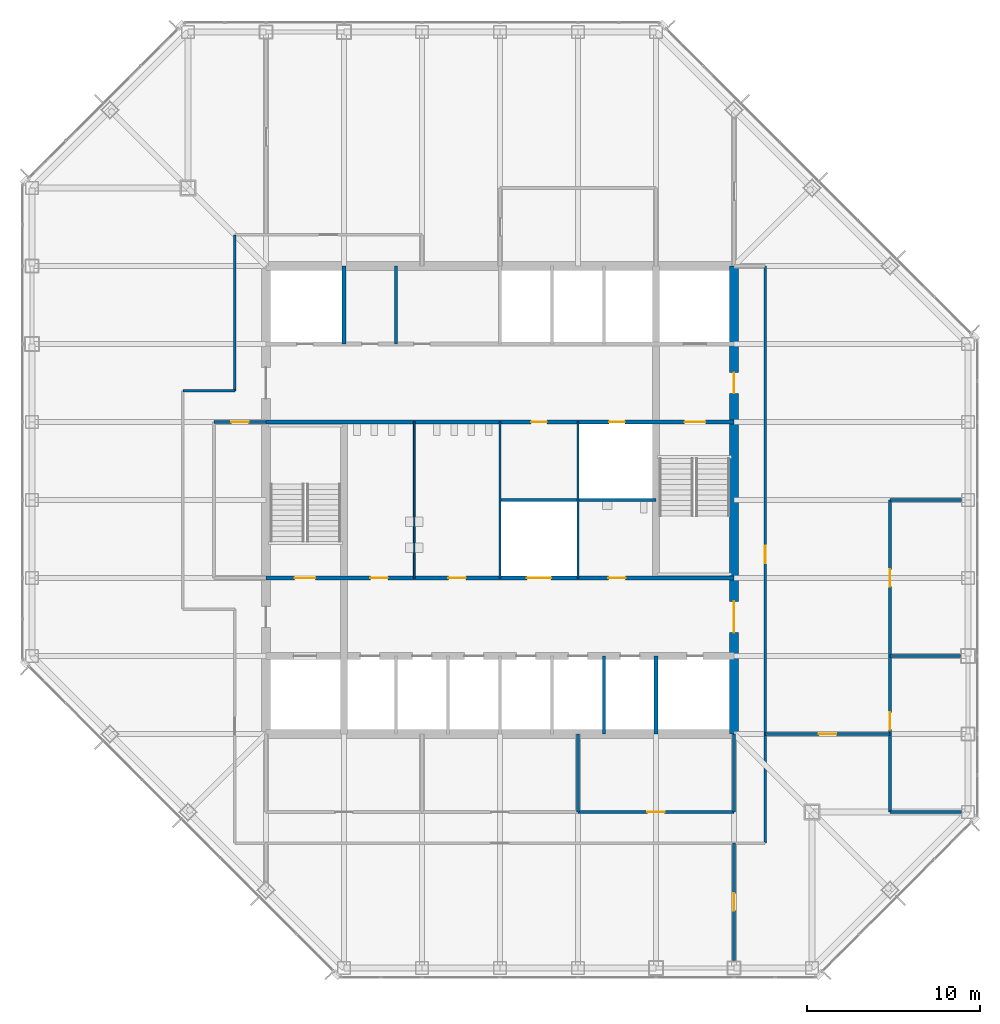
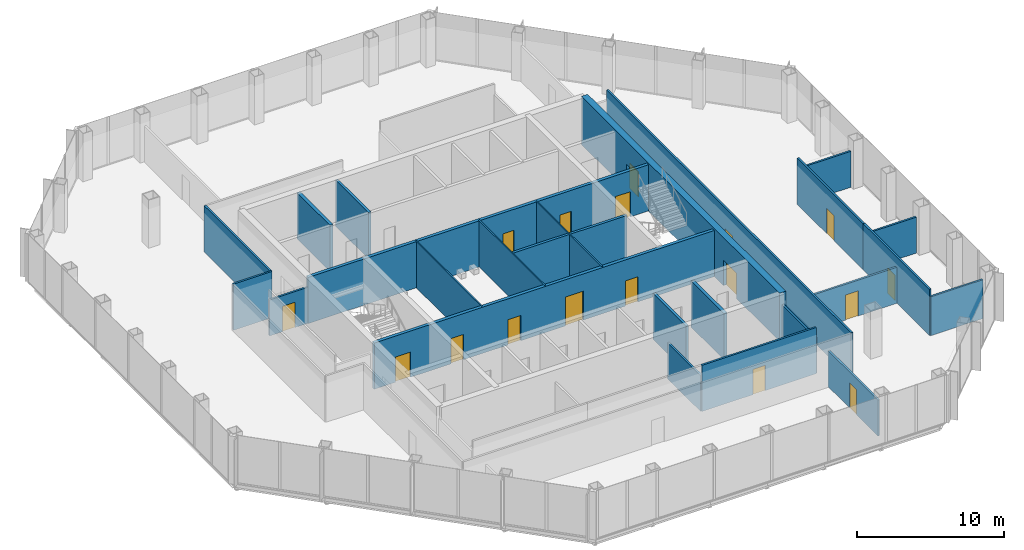
# One storey, part 9 of 12: 25 walls, 17 doors, 17 openings.
"""IFC4 building model written with IfcOpenShell, lengths in metres."""

import ifcopenshell
import ifcopenshell.guid

model = None  # the IFC model being written
_history = None  # IfcOwnerHistory: only IFC2X3 demands one
_inside = {}  # id of a spatial element -> (the spatial element, [elements in it])
_under = {}  # id of a project, library or spatial element -> (it, [spatial elements below it])
_declared = {}  # id of a project -> (the project, [libraries it declares])
_typed = {}  # id of a type object -> (the type object, [elements of that type])
_made_of = {}  # id of a material, layer set ... -> (it, [elements and type objects made of it])


def new_model(schema):
    """Start an empty IFC model of exactly this schema.

    Asked for "IFC4X3", IfcOpenShell would pick the latest addendum, in which some entities
    have other attributes; the version numbers below select the first issue.
    IFC2X3 requires an IfcOwnerHistory on every rooted entity: one is made here for all.
    """
    global model, _history
    if schema == "IFC4X3":
        model = ifcopenshell.file(schema_version=(4, 3, 0, 0))
    else:
        model = ifcopenshell.file(schema=schema)
    _inside.clear()
    _under.clear()
    _declared.clear()
    _typed.clear()
    _made_of.clear()
    _history = None
    if model.schema == "IFC2X3":
        org = make("IfcOrganization", Name="unknown")
        user = make(
            "IfcPersonAndOrganization",
            ThePerson=make("IfcPerson", FamilyName="unknown"),
            TheOrganization=org,
        )
        app = make(
            "IfcApplication",
            ApplicationDeveloper=org,
            Version="unknown",
            ApplicationFullName="unknown",
            ApplicationIdentifier="unknown",
        )
        _history = make(
            "IfcOwnerHistory",
            OwningUser=user,
            OwningApplication=app,
            ChangeAction="ADDED",
            CreationDate=0,
        )
    return model


def make(cls, **values):
    """One entity of the class cls with the attributes given. An attribute that is None is left unset."""
    return model.create_entity(
        cls, **{name: value for name, value in values.items() if value is not None}
    )


def rooted(cls, **values):
    """An entity with a GlobalId (a new one), such as an element, a storey or a relation."""
    return make(cls, GlobalId=ifcopenshell.guid.new(), OwnerHistory=_history, **values)


def si_unit(unit_type, name, prefix=None):
    """IfcSIUnit, for example si_unit("LENGTHUNIT", "METRE", prefix="MILLI")."""
    return make("IfcSIUnit", UnitType=unit_type, Prefix=prefix, Name=name)


def assignment(units):
    """IfcUnitAssignment: the units of a project."""
    return None if units is None else make("IfcUnitAssignment", Units=units)


def point(xyz):
    """IfcCartesianPoint."""
    return None if xyz is None else make("IfcCartesianPoint", Coordinates=xyz)


def direction(xyz):
    """IfcDirection."""
    return None if xyz is None else make("IfcDirection", DirectionRatios=xyz)


def frame(location, z_axis=None, x_axis=None):
    """IfcAxis2Placement3D, a coordinate frame: its origin and axes. An axis left out is left unset."""
    return make(
        "IfcAxis2Placement3D",
        Location=point(location),
        Axis=direction(z_axis),
        RefDirection=direction(x_axis),
    )


def frame_2d(location, x_axis=None):
    """IfcAxis2Placement2D, a coordinate frame in the plane: its origin and x axis."""
    return make(
        "IfcAxis2Placement2D", Location=point(location), RefDirection=direction(x_axis)
    )


def origin():
    """The frame at (0, 0, 0) with its axes left unset."""
    return frame((0.0, 0.0, 0.0))


def place(relative_to, where):
    """IfcLocalPlacement: puts the frame where relative to a parent placement (None: the world)."""
    return make(
        "IfcLocalPlacement", PlacementRelTo=relative_to, RelativePlacement=where
    )


def context(
    kind, dimensions, precision=None, world=None, true_north=None, identifier=None
):
    """IfcGeometricRepresentationContext, for example the 3D "Model" context."""
    return make(
        "IfcGeometricRepresentationContext",
        ContextIdentifier=identifier,
        ContextType=kind,
        CoordinateSpaceDimension=dimensions,
        Precision=precision,
        WorldCoordinateSystem=world,
        TrueNorth=true_north,
    )


def subcontext(parent, identifier, kind, view, scale=None):
    """IfcGeometricRepresentationSubContext, for example "Body" below "Model"."""
    return make(
        "IfcGeometricRepresentationSubContext",
        ContextIdentifier=identifier,
        ContextType=kind,
        ParentContext=parent,
        TargetScale=scale,
        TargetView=view,
    )


def project(units=None, contexts=None):
    """IfcProject with its units and contexts."""
    return rooted(
        "IfcProject",
        Name="project",
        RepresentationContexts=contexts,
        UnitsInContext=assignment(units),
    )


def spatial(cls, under=None, at=None, **own):
    """A site, building, storey or space (cls), placed at a placement, below another one or the project."""
    s = rooted(cls, ObjectPlacement=at, **own)
    if under is not None:
        _under.setdefault(under.id(), (under, []))[1].append(s)
    return s


def profile(cls, at=None, kind="AREA", **sizes):
    """A parametric profile (cls). Its sizes go by their IFC names, for example OverallWidth=200.0."""
    return make(cls, ProfileType=kind, Position=at, **sizes)


def rectangle(**sizes):
    """IfcRectangleProfileDef."""
    return profile("IfcRectangleProfileDef", **sizes)


def extrude(swept, where, along, depth):
    """IfcExtrudedAreaSolid: the profile swept, set in the frame where, extruded along a direction by depth."""
    return make(
        "IfcExtrudedAreaSolid",
        SweptArea=swept,
        Position=where,
        ExtrudedDirection=direction(along),
        Depth=depth,
    )


def shape(context_of_items, identifier, shape_type, items):
    """IfcShapeRepresentation: the items that make up one representation, for example the "Body"."""
    return make(
        "IfcShapeRepresentation",
        ContextOfItems=context_of_items,
        RepresentationIdentifier=identifier,
        RepresentationType=shape_type,
        Items=items,
    )


def material(Name=None, Category=None):
    """IfcMaterial."""
    return make("IfcMaterial", Name=Name, Category=Category)


def layer(
    of_material, thickness, ventilated=None, Name=None, Category=None, Priority=None
):
    """IfcMaterialLayer: one layer of a wall or slab, of a material (None: an air gap)."""
    return make(
        "IfcMaterialLayer",
        Material=of_material,
        LayerThickness=thickness,
        IsVentilated=ventilated,
        Name=Name,
        Category=Category,
        Priority=Priority,
    )


def layer_set(layers, Name=None):
    """IfcMaterialLayerSet."""
    return make("IfcMaterialLayerSet", MaterialLayers=layers, LayerSetName=Name)


def made_of(thing, what):
    """Note that an element or type object is made of a material, layer set ...; save() writes the relation."""
    if what is not None:
        _made_of.setdefault(what.id(), (what, []))[1].append(thing)
    return thing


def type_object(cls, material=None, **own):
    """A type object (cls), such as IfcWallType, which elements share."""
    return made_of(rooted(cls, **own), material)


def element(
    cls,
    number,
    at=None,
    inside=None,
    cuts=None,
    type_object=None,
    material=None,
    context=None,
    identifier="Body",
    shape_type=None,
    held_by="IfcProductDefinitionShape",
    body=None,
    shapes=None,
    **own,
):
    """One element of the class cls, such as IfcWall. Its Tag is "e" and its number.

    at: its placement. inside: the storey or other place that contains it. cuts: it is an
    opening in that element (IfcRelVoidsElement). A single representation is given by context,
    identifier, shape_type and body (its items); several are given by shapes. held_by: the class
    of the entity that holds the representations. save() writes the other relations.
    """
    e = rooted(cls, Tag="e%d" % number, ObjectPlacement=at, **own)
    if body is not None:
        shapes = [shape(context, identifier, shape_type, body)]
    if shapes is not None:
        e.Representation = make(held_by, Representations=shapes)
    if inside is not None:
        _inside.setdefault(inside.id(), (inside, []))[1].append(e)
    if cuts is not None:
        rooted(
            "IfcRelVoidsElement", RelatingBuildingElement=cuts, RelatedOpeningElement=e
        )
    if type_object is not None:
        _typed.setdefault(type_object.id(), (type_object, []))[1].append(e)
    return made_of(e, material)


def fill(opening, filler):
    """IfcRelFillsElement: the door or window that sits in an opening."""
    return rooted(
        "IfcRelFillsElement",
        RelatingOpeningElement=opening,
        RelatedBuildingElement=filler,
    )


def aggregate(whole, parts):
    """IfcRelAggregates: a whole, such as a stair, and the parts it consists of."""
    return rooted("IfcRelAggregates", RelatingObject=whole, RelatedObjects=parts)


def save(model, path):
    """Write the relations noted so far, then the file.

    IfcRelAggregates (storeys below a building ...), IfcRelContainedInSpatialStructure (elements
    in a storey), IfcRelDefinesByType, IfcRelAssociatesMaterial and IfcRelDeclares: one each for
    every whole, place, type object, material and project.
    """
    for whole, parts in _under.values():
        aggregate(whole, parts)
    for where, things in _inside.values():
        rooted(
            "IfcRelContainedInSpatialStructure",
            RelatedElements=things,
            RelatingStructure=where,
        )
    for kind, things in _typed.values():
        rooted("IfcRelDefinesByType", RelatedObjects=things, RelatingType=kind)
    for what, things in _made_of.values():
        rooted("IfcRelAssociatesMaterial", RelatedObjects=things, RelatingMaterial=what)
    for by, libraries in _declared.values():
        rooted("IfcRelDeclares", RelatingContext=by, RelatedDefinitions=libraries)
    model.write(path)


model = new_model("IFC4")

# Units and contexts
model_context = context("Model", 3, precision=1e-05, world=origin(), true_north=direction((0.0, 1.0)))
body_context = subcontext(model_context, "Body", "Model", "MODEL_VIEW")
ifc_project = project(units=[si_unit("LENGTHUNIT", "METRE"), si_unit("AREAUNIT", "SQUARE_METRE"), si_unit("VOLUMEUNIT", "CUBIC_METRE"), si_unit("PLANEANGLEUNIT", "RADIAN"), si_unit("MASSUNIT", "GRAM", prefix="KILO")], contexts=[model_context])

# Site, building, storey
site_placement = place(None, origin())
site = spatial("IfcSite", under=ifc_project, at=site_placement, CompositionType="ELEMENT")
building_placement = place(site_placement, origin())
building = spatial("IfcBuilding", under=site, at=building_placement, Name="Corais Broadcast Tower", CompositionType="ELEMENT")
storey_placement = place(building_placement, frame((0.0, 0.0, 135.60009765625)))
storey = spatial("IfcBuildingStorey", under=building, at=storey_placement, Name="L30", CompositionType="ELEMENT", Elevation=135.60009765625)

# Walls
ifc_material_1 = material(Name="Concrete blockwork class A, grouted, two-hour", Category="masonry")
ifc_layer_1 = layer(ifc_material_1, 0.25)
ifc_layer_set_1 = layer_set([ifc_layer_1], Name="Concrete blockwork class A, grouted, two-hour")
wall_type_1 = type_object("IfcWallType", Name="Core lobby wall 250", PredefinedType="SOLIDWALL", material=ifc_layer_set_1)
for number, where, z_axis, x_axis, name in (
    (1, (18.0, 36.0, 0.0), (0.0, 0.0, 1.0), (0.0, 1.0, 0.0), "CL2 core shaft wall X18B L30"),
    (2, (36.0, 13.5, 0.0), (0.0, 0.0, 1.0), (0.0, 1.0, 0.0), "CL2 core shaft wall X36A L30"),
):
    element("IfcWall", number, at=place(storey_placement, frame(where, z_axis=z_axis, x_axis=x_axis)), inside=storey, type_object=wall_type_1, Name=name, PredefinedType="SOLIDWALL", context=body_context, shape_type="SweptSolid", body=[
        extrude(rectangle(XDim=4.5, YDim=0.25, at=frame_2d((2.25, 0.0))), origin(), (0.0, 0.0, 1.0), 3.83984375),
    ])

# Wall, openings, doors
wall_1_placement = place(storey_placement, frame((13.5, 22.5, 0.0), z_axis=(0.0, 0.0, 1.0), x_axis=(1.0, 0.0, 0.0)))
wall_1 = element("IfcWall", 3, at=wall_1_placement, inside=storey, type_object=wall_type_1, Name="CL2 core lobby wall Y225 L30", PredefinedType="SOLIDWALL", context=body_context, shape_type="SweptSolid", body=[
    extrude(rectangle(XDim=27.0, YDim=0.25, at=frame_2d((13.5, 0.0))), origin(), (0.0, 0.0, 1.0), 3.83984375),
])
opening_1_placement = place(wall_1_placement, frame((1.64990234375, 0.0, 0.0)))
opening_1 = element("IfcOpeningElement", 4, at=opening_1_placement, cuts=wall_1, Name="Opening FD1", PredefinedType="OPENING", context=body_context, shape_type="SweptSolid", body=[
    extrude(rectangle(XDim=1.199951171875, YDim=2.10009765625, at=frame_2d((0.60009765625, 1.050048828125))), frame((0.0, 0.135009765625, 0.0), z_axis=(0.0, -1.0, 0.0), x_axis=(1.0, 0.0, 0.0)), (0.0, 0.0, 1.0), 0.27001953125),
])
opening_2_placement = place(wall_1_placement, frame((6.02490234375, 0.0, 0.0)))
opening_2 = element("IfcOpeningElement", 5, at=opening_2_placement, cuts=wall_1, Name="Opening WD1", PredefinedType="OPENING", context=body_context, shape_type="SweptSolid", body=[
    extrude(rectangle(XDim=1.0, YDim=2.10009765625, at=frame_2d((0.5, 1.050048828125))), frame((0.0, 0.135009765625, 0.0), z_axis=(0.0, -1.0, 0.0), x_axis=(1.0, 0.0, 0.0)), (0.0, 0.0, 1.0), 0.27001953125),
])
opening_3_placement = place(wall_1_placement, frame((10.52490234375, 0.0, 0.0)))
opening_3 = element("IfcOpeningElement", 6, at=opening_3_placement, cuts=wall_1, Name="Opening WD1", PredefinedType="OPENING", context=body_context, shape_type="SweptSolid", body=[
    extrude(rectangle(XDim=1.0, YDim=2.10009765625, at=frame_2d((0.5, 1.050048828125))), frame((0.0, 0.135009765625, 0.0), z_axis=(0.0, -1.0, 0.0), x_axis=(1.0, 0.0, 0.0)), (0.0, 0.0, 1.0), 0.27001953125),
])
opening_4_placement = place(wall_1_placement, frame((19.75, 0.0, 0.0)))
opening_4 = element("IfcOpeningElement", 7, at=opening_4_placement, cuts=wall_1, Name="Opening WD1", PredefinedType="OPENING", context=body_context, shape_type="SweptSolid", body=[
    extrude(rectangle(XDim=1.0, YDim=2.10009765625, at=frame_2d((0.5, 1.050048828125))), frame((0.0, 0.135009765625, 0.0), z_axis=(0.0, -1.0, 0.0), x_axis=(1.0, 0.0, 0.0)), (0.0, 0.0, 1.0), 0.27001953125),
])
opening_5_placement = place(wall_1_placement, frame((15.050048828125, 0.0, 0.0)))
opening_5 = element("IfcOpeningElement", 8, at=opening_5_placement, cuts=wall_1, Name="Opening LD3", PredefinedType="OPENING", context=body_context, shape_type="SweptSolid", body=[
    extrude(rectangle(XDim=1.39990234375, YDim=2.39990234375, at=frame_2d((0.699951171875, 1.199951171875))), frame((0.0, 0.135009765625, 0.0), z_axis=(0.0, -1.0, 0.0), x_axis=(1.0, 0.0, 0.0)), (0.0, 0.0, 1.0), 0.27001953125),
])
ifc_material_2 = material(Name="Steel fire door", Category="steel")
door_type_1 = type_object("IfcDoorType", Name="Fire door 1200x2100", OperationType="SINGLE_SWING_LEFT", PredefinedType="DOOR", material=ifc_material_2)
door_1_placement = place(opening_1_placement, origin())
door_1 = element("IfcDoor", 9, at=door_1_placement, inside=storey, type_object=door_type_1, Name="FD1 stair A door L30", OperationType="SINGLE_SWING_LEFT", OverallHeight=2.10009765625, OverallWidth=1.199951171875, PredefinedType="DOOR", context=body_context, shape_type="SweptSolid", body=[
    extrude(rectangle(XDim=1.199951171875, YDim=2.10009765625, at=frame_2d((0.60009765625, 1.050048828125))), frame((0.0, 0.02490234375, 0.0), z_axis=(0.0, -1.0, 0.0), x_axis=(1.0, 0.0, 0.0)), (0.0, 0.0, 1.0), 0.050048828125),
])
fill(opening_1, door_1)
ifc_material_3 = material(Name="Stainless steel lift door", Category="steel")
door_type_2 = type_object("IfcDoorType", Name="Service lift landing door 1400x2400", OperationType="SLIDING_TO_LEFT", PredefinedType="DOOR", material=ifc_material_3)
door_2_placement = place(opening_5_placement, origin())
door_2 = element("IfcDoor", 10, at=door_2_placement, inside=storey, type_object=door_type_2, Name="LD3 SL1 landing door L30", OperationType="SLIDING_TO_LEFT", OverallHeight=2.39990234375, OverallWidth=1.39990234375, PredefinedType="DOOR", context=body_context, shape_type="SweptSolid", body=[
    extrude(rectangle(XDim=1.39990234375, YDim=2.39990234375, at=frame_2d((0.699951171875, 1.199951171875))), frame((0.0, 0.02490234375, 0.0), z_axis=(0.0, -1.0, 0.0), x_axis=(1.0, 0.0, 0.0)), (0.0, 0.0, 1.0), 0.050048828125),
])
fill(opening_5, door_2)
ifc_material_4 = material(Name="Timber door", Category="wood")
door_type_3 = type_object("IfcDoorType", Name="Toilet door 1000x2100", OperationType="SINGLE_SWING_LEFT", PredefinedType="DOOR", material=ifc_material_4)
door_3_placement = place(opening_2_placement, origin())
door_3 = element("IfcDoor", 11, at=door_3_placement, inside=storey, type_object=door_type_3, Name="WD1 WC male door L30", OperationType="SINGLE_SWING_LEFT", OverallHeight=2.10009765625, OverallWidth=1.0, PredefinedType="DOOR", context=body_context, shape_type="SweptSolid", body=[
    extrude(rectangle(XDim=1.0, YDim=2.10009765625, at=frame_2d((0.5, 1.050048828125))), frame((0.0, 0.02490234375, 0.0), z_axis=(0.0, -1.0, 0.0), x_axis=(1.0, 0.0, 0.0)), (0.0, 0.0, 1.0), 0.050048828125),
])
fill(opening_2, door_3)
door_4_placement = place(opening_3_placement, origin())
door_4 = element("IfcDoor", 12, at=door_4_placement, inside=storey, type_object=door_type_3, Name="WD1 WC female door L30", OperationType="SINGLE_SWING_LEFT", OverallHeight=2.10009765625, OverallWidth=1.0, PredefinedType="DOOR", context=body_context, shape_type="SweptSolid", body=[
    extrude(rectangle(XDim=1.0, YDim=2.10009765625, at=frame_2d((0.5, 1.050048828125))), frame((0.0, 0.02490234375, 0.0), z_axis=(0.0, -1.0, 0.0), x_axis=(1.0, 0.0, 0.0)), (0.0, 0.0, 1.0), 0.050048828125),
])
fill(opening_3, door_4)
door_5_placement = place(opening_4_placement, origin())
door_5 = element("IfcDoor", 13, at=door_5_placement, inside=storey, type_object=door_type_3, Name="WD1 accessible WC door L30", OperationType="SINGLE_SWING_RIGHT", OverallHeight=2.10009765625, OverallWidth=1.0, PredefinedType="DOOR", context=body_context, shape_type="SweptSolid", body=[
    extrude(rectangle(XDim=1.0, YDim=2.10009765625, at=frame_2d((0.5, 1.050048828125))), frame((0.0, 0.02490234375, 0.0), z_axis=(0.0, -1.0, 0.0), x_axis=(1.0, 0.0, 0.0)), (0.0, 0.0, 1.0), 0.050048828125),
])
fill(opening_4, door_5)

wall_2_placement = place(storey_placement, frame((13.5, 31.5, 0.0), z_axis=(0.0, 0.0, 1.0), x_axis=(1.0, 0.0, 0.0)))
wall_2 = element("IfcWall", 14, at=wall_2_placement, inside=storey, type_object=wall_type_1, Name="CL2 core lobby wall Y315 L30", PredefinedType="SOLIDWALL", context=body_context, shape_type="SweptSolid", body=[
    extrude(rectangle(XDim=27.0, YDim=0.25, at=frame_2d((13.5, 0.0))), origin(), (0.0, 0.0, 1.0), 3.83984375),
])
opening_6_placement = place(wall_2_placement, frame((24.14990234375, 0.0, 0.0)))
opening_6 = element("IfcOpeningElement", 15, at=opening_6_placement, cuts=wall_2, Name="Opening FD1", PredefinedType="OPENING", context=body_context, shape_type="SweptSolid", body=[
    extrude(rectangle(XDim=1.199951171875, YDim=2.10009765625, at=frame_2d((0.60009765625, 1.050048828125))), frame((0.0, 0.135009765625, 0.0), z_axis=(0.0, -1.0, 0.0), x_axis=(1.0, 0.0, 0.0)), (0.0, 0.0, 1.0), 0.27001953125),
])
opening_7_placement = place(wall_2_placement, frame((15.300048828125, 0.0, 0.0)))
opening_7 = element("IfcOpeningElement", 16, at=opening_7_placement, cuts=wall_2, Name="Opening RD1", PredefinedType="OPENING", context=body_context, shape_type="SweptSolid", body=[
    extrude(rectangle(XDim=0.89990234375, YDim=2.10009765625, at=frame_2d((0.449951171875, 1.050048828125))), frame((0.0, 0.135009765625, 0.0), z_axis=(0.0, -1.0, 0.0), x_axis=(1.0, 0.0, 0.0)), (0.0, 0.0, 1.0), 0.27001953125),
])
opening_8_placement = place(wall_2_placement, frame((19.800048828125, 0.0, 0.0)))
opening_8 = element("IfcOpeningElement", 17, at=opening_8_placement, cuts=wall_2, Name="Opening RD1", PredefinedType="OPENING", context=body_context, shape_type="SweptSolid", body=[
    extrude(rectangle(XDim=0.89990234375, YDim=2.10009765625, at=frame_2d((0.449951171875, 1.050048828125))), frame((0.0, 0.135009765625, 0.0), z_axis=(0.0, -1.0, 0.0), x_axis=(1.0, 0.0, 0.0)), (0.0, 0.0, 1.0), 0.27001953125),
])
door_6_placement = place(opening_6_placement, origin())
door_6 = element("IfcDoor", 18, at=door_6_placement, inside=storey, type_object=door_type_1, Name="FD1 stair B door L30", OperationType="SINGLE_SWING_RIGHT", OverallHeight=2.10009765625, OverallWidth=1.199951171875, PredefinedType="DOOR", context=body_context, shape_type="SweptSolid", body=[
    extrude(rectangle(XDim=1.199951171875, YDim=2.10009765625, at=frame_2d((0.60009765625, 1.050048828125))), frame((0.0, 0.02490234375, 0.0), z_axis=(0.0, -1.0, 0.0), x_axis=(1.0, 0.0, 0.0)), (0.0, 0.0, 1.0), 0.050048828125),
])
fill(opening_6, door_6)
ifc_material_5 = material(Name="Steel fire door", Category="steel")
door_type_4 = type_object("IfcDoorType", Name="Riser door 900x2100", OperationType="SINGLE_SWING_LEFT", PredefinedType="DOOR", material=ifc_material_5)
door_7_placement = place(opening_7_placement, origin())
door_7 = element("IfcDoor", 19, at=door_7_placement, inside=storey, type_object=door_type_4, Name="RD1 cleaner's store door L30", OperationType="SINGLE_SWING_RIGHT", OverallHeight=2.10009765625, OverallWidth=0.89990234375, PredefinedType="DOOR", context=body_context, shape_type="SweptSolid", body=[
    extrude(rectangle(XDim=0.89990234375, YDim=2.10009765625, at=frame_2d((0.449951171875, 1.050048828125))), frame((0.0, 0.02490234375, 0.0), z_axis=(0.0, -1.0, 0.0), x_axis=(1.0, 0.0, 0.0)), (0.0, 0.0, 1.0), 0.050048828125),
])
fill(opening_7, door_7)
door_8_placement = place(opening_8_placement, origin())
door_8 = element("IfcDoor", 20, at=door_8_placement, inside=storey, type_object=door_type_4, Name="RD1 riser door L30", OperationType="SINGLE_SWING_RIGHT", OverallHeight=2.10009765625, OverallWidth=0.89990234375, PredefinedType="DOOR", context=body_context, shape_type="SweptSolid", body=[
    extrude(rectangle(XDim=0.89990234375, YDim=2.10009765625, at=frame_2d((0.449951171875, 1.050048828125))), frame((0.0, 0.02490234375, 0.0), z_axis=(0.0, -1.0, 0.0), x_axis=(1.0, 0.0, 0.0)), (0.0, 0.0, 1.0), 0.050048828125),
])
fill(opening_8, door_8)

ifc_material_6 = material(Name="Concrete C50/60", Category="concrete")
ifc_layer_2 = layer(ifc_material_6, 0.5)
ifc_layer_set_2 = layer_set([ifc_layer_2], Name="Concrete C50/60")
wall_type_2 = type_object("IfcWallType", Name="Core wall 500", PredefinedType="SHEAR", material=ifc_layer_set_2)
wall_3_placement = place(storey_placement, frame((40.5, 13.5, 0.0), z_axis=(0.0, 0.0, 1.0), x_axis=(0.0, 1.0, 0.0)))
wall_3 = element("IfcWall", 21, at=wall_3_placement, inside=storey, type_object=wall_type_2, Name="CR500 core wall E L30", PredefinedType="SHEAR", context=body_context, shape_type="SweptSolid", body=[
    extrude(rectangle(XDim=27.0, YDim=0.5, at=frame_2d((13.5, 0.0))), origin(), (0.0, 0.0, 1.0), 4.0),
])
opening_9_placement = place(wall_3_placement, frame((5.85009765625, 0.0, 0.0)))
opening_9 = element("IfcOpeningElement", 22, at=opening_9_placement, cuts=wall_3, Name="Opening FD2", PredefinedType="OPENING", context=body_context, shape_type="SweptSolid", body=[
    extrude(rectangle(XDim=1.800048828125, YDim=2.10009765625, at=frame_2d((0.89990234375, 1.050048828125))), frame((0.0, 0.260009765625, 0.0), z_axis=(0.0, -1.0, 0.0), x_axis=(1.0, 0.0, 0.0)), (0.0, 0.0, 1.0), 0.52001953125),
])
opening_10_placement = place(wall_3_placement, frame((19.64990234375, 0.0, 0.0)))
opening_10 = element("IfcOpeningElement", 23, at=opening_10_placement, cuts=wall_3, Name="Opening FD1", PredefinedType="OPENING", context=body_context, shape_type="SweptSolid", body=[
    extrude(rectangle(XDim=1.199951171875, YDim=2.10009765625, at=frame_2d((0.60009765625, 1.050048828125))), frame((0.0, 0.260009765625, 0.0), z_axis=(0.0, -1.0, 0.0), x_axis=(1.0, 0.0, 0.0)), (0.0, 0.0, 1.0), 0.52001953125),
])
door_9_placement = place(opening_10_placement, origin())
door_9 = element("IfcDoor", 24, at=door_9_placement, inside=storey, type_object=door_type_1, Name="FD1 fire lobby B door L30", OperationType="SINGLE_SWING_RIGHT", OverallHeight=2.10009765625, OverallWidth=1.199951171875, PredefinedType="DOOR", context=body_context, shape_type="SweptSolid", body=[
    extrude(rectangle(XDim=1.199951171875, YDim=2.10009765625, at=frame_2d((0.60009765625, 1.050048828125))), frame((0.0, 0.02490234375, 0.0), z_axis=(0.0, -1.0, 0.0), x_axis=(1.0, 0.0, 0.0)), (0.0, 0.0, 1.0), 0.050048828125),
])
fill(opening_10, door_9)
ifc_material_7 = material(Name="Steel fire door", Category="steel")
door_type_5 = type_object("IfcDoorType", Name="Fire door pair 1800x2100", OperationType="DOUBLE_DOOR_SINGLE_SWING", PredefinedType="DOOR", material=ifc_material_7)
door_10_placement = place(opening_9_placement, origin())
door_10 = element("IfcDoor", 25, at=door_10_placement, inside=storey, type_object=door_type_5, Name="FD2 lift lobby door L30", OperationType="SINGLE_SWING_LEFT", OverallHeight=2.10009765625, OverallWidth=1.800048828125, PredefinedType="DOOR", context=body_context, shape_type="SweptSolid", body=[
    extrude(rectangle(XDim=1.800048828125, YDim=2.10009765625, at=frame_2d((0.89990234375, 1.050048828125))), frame((0.0, 0.02490234375, 0.0), z_axis=(0.0, -1.0, 0.0), x_axis=(1.0, 0.0, 0.0)), (0.0, 0.0, 1.0), 0.050048828125),
])
fill(opening_9, door_10)

# Wall, opening, door
ifc_material_8 = material(Name="Gypsum board on steel studs", Category="steel")
ifc_layer_3 = layer(ifc_material_8, 0.14990234375)
ifc_layer_set_3 = layer_set([ifc_layer_3], Name="Gypsum board on steel studs")
wall_type_3 = type_object("IfcWallType", Name="Partition 150", PredefinedType="PARTITIONING", material=ifc_layer_set_3)
wall_4_placement = place(storey_placement, frame((42.300048828125, 7.199951171875, 0.0), z_axis=(0.0, 0.0, 1.0), x_axis=(0.0, 1.0, 0.0)))
wall_4 = element("IfcWall", 26, at=wall_4_placement, inside=storey, type_object=wall_type_3, Name="IW3 corridor wall L30", PredefinedType="PARTITIONING", context=body_context, shape_type="SweptSolid", body=[
    extrude(rectangle(XDim=33.300048828125, YDim=0.14990234375, at=frame_2d((16.64990234375, 0.0))), origin(), (0.0, 0.0, 1.0), 3.83984375),
])
opening_11_placement = place(wall_4_placement, frame((16.14990234375, 0.0, 0.0)))
opening_11 = element("IfcOpeningElement", 27, at=opening_11_placement, cuts=wall_4, Name="Opening D1", PredefinedType="OPENING", context=body_context, shape_type="SweptSolid", body=[
    extrude(rectangle(XDim=1.0, YDim=2.10009765625, at=frame_2d((0.5, 1.050048828125))), frame((0.0, 0.0849609375, 0.0), z_axis=(0.0, -1.0, 0.0), x_axis=(1.0, 0.0, 0.0)), (0.0, 0.0, 1.0), 0.169921875),
])
ifc_material_9 = material(Name="Timber door", Category="wood")
door_type_6 = type_object("IfcDoorType", Name="Single door 1000x2100", OperationType="SINGLE_SWING_LEFT", PredefinedType="DOOR", material=ifc_material_9)
door_11_placement = place(opening_11_placement, origin())
door_11 = element("IfcDoor", 28, at=door_11_placement, inside=storey, type_object=door_type_6, Name="D1 workplace door L30", OperationType="SINGLE_SWING_LEFT", OverallHeight=2.10009765625, OverallWidth=1.0, PredefinedType="DOOR", context=body_context, shape_type="SweptSolid", body=[
    extrude(rectangle(XDim=1.0, YDim=2.10009765625, at=frame_2d((0.5, 1.050048828125))), frame((0.0, 0.02490234375, 0.0), z_axis=(0.0, -1.0, 0.0), x_axis=(1.0, 0.0, 0.0)), (0.0, 0.0, 1.0), 0.050048828125),
])
fill(opening_11, door_11)

# Walls
wall_5_placement = place(storey_placement, frame((11.699951171875, 42.300048828125, 0.0), z_axis=(0.0, 0.0, 1.0), x_axis=(0.0, -1.0, 0.0)))
element("IfcWall", 29, at=wall_5_placement, inside=storey, type_object=wall_type_3, Name="IW3 corridor wall L30", PredefinedType="PARTITIONING", context=body_context, shape_type="SweptSolid", body=[
    extrude(rectangle(XDim=9.0, YDim=0.14990234375, at=frame_2d((4.5, 0.0))), origin(), (0.0, 0.0, 1.0), 3.83984375),
])
wall_6_placement = place(storey_placement, frame((11.699951171875, 33.300048828125, 0.0), z_axis=(0.0, 0.0, 1.0), x_axis=(-1.0, 0.0, 0.0)))
element("IfcWall", 30, at=wall_6_placement, inside=storey, type_object=wall_type_3, Name="IW3 corridor wall L30", PredefinedType="PARTITIONING", context=body_context, shape_type="SweptSolid", body=[
    extrude(rectangle(XDim=3.0, YDim=0.14990234375, at=frame_2d((1.5, 0.0))), origin(), (0.0, 0.0, 1.0), 3.83984375),
])
wall_7_placement = place(storey_placement, frame((31.5, 9.0, 0.0), z_axis=(0.0, 0.0, 1.0), x_axis=(0.0, 1.0, 0.0)))
element("IfcWall", 31, at=wall_7_placement, inside=storey, type_object=wall_type_3, Name="IW3 partition L30", PredefinedType="PARTITIONING", context=body_context, shape_type="SweptSolid", body=[
    extrude(rectangle(XDim=4.5, YDim=0.14990234375, at=frame_2d((2.25, 0.0))), origin(), (0.0, 0.0, 1.0), 2.989013671875),
])

# Wall, opening, door
wall_8_placement = place(storey_placement, frame((31.5, 9.0, 0.0), z_axis=(0.0, 0.0, 1.0), x_axis=(1.0, 0.0, 0.0)))
wall_8 = element("IfcWall", 32, at=wall_8_placement, inside=storey, type_object=wall_type_3, Name="IW3 partition L30", PredefinedType="PARTITIONING", context=body_context, shape_type="SweptSolid", body=[
    extrude(rectangle(XDim=9.0, YDim=0.14990234375, at=frame_2d((4.5, 0.0))), origin(), (0.0, 0.0, 1.0), 3.83984375),
])
opening_12_placement = place(wall_8_placement, frame((4.0, 0.0, 0.0)))
opening_12 = element("IfcOpeningElement", 33, at=opening_12_placement, cuts=wall_8, Name="Opening D1", PredefinedType="OPENING", context=body_context, shape_type="SweptSolid", body=[
    extrude(rectangle(XDim=1.0, YDim=2.10009765625, at=frame_2d((0.5, 1.050048828125))), frame((0.0, 0.0849609375, 0.0), z_axis=(0.0, -1.0, 0.0), x_axis=(1.0, 0.0, 0.0)), (0.0, 0.0, 1.0), 0.169921875),
])
door_12_placement = place(opening_12_placement, origin())
door_12 = element("IfcDoor", 34, at=door_12_placement, inside=storey, type_object=door_type_6, Name="D1 Edit suite door", OperationType="SINGLE_SWING_LEFT", OverallHeight=2.10009765625, OverallWidth=1.0, PredefinedType="DOOR", context=body_context, shape_type="SweptSolid", body=[
    extrude(rectangle(XDim=1.0, YDim=2.10009765625, at=frame_2d((0.5, 1.050048828125))), frame((0.0, 0.02490234375, 0.0), z_axis=(0.0, -1.0, 0.0), x_axis=(1.0, 0.0, 0.0)), (0.0, 0.0, 1.0), 0.050048828125),
])
fill(opening_12, door_12)

# Walls
wall_9_placement = place(storey_placement, frame((40.5, 9.0, 0.0), z_axis=(0.0, 0.0, 1.0), x_axis=(0.0, 1.0, 0.0)))
element("IfcWall", 35, at=wall_9_placement, inside=storey, type_object=wall_type_3, Name="IW3 partition L30", PredefinedType="PARTITIONING", context=body_context, shape_type="SweptSolid", body=[
    extrude(rectangle(XDim=4.5, YDim=0.14990234375, at=frame_2d((2.25, 0.0))), origin(), (0.0, 0.0, 1.0), 2.989013671875),
])
wall_10_placement = place(storey_placement, frame((49.5, 9.0, 0.0), z_axis=(0.0, 0.0, 1.0), x_axis=(1.0, 0.0, 0.0)))
element("IfcWall", 36, at=wall_10_placement, inside=storey, type_object=wall_type_3, Name="IW3 partition L30", PredefinedType="PARTITIONING", context=body_context, shape_type="SweptSolid", body=[
    extrude(rectangle(XDim=4.114990234375, YDim=0.14990234375, at=frame_2d((2.0576171875, 0.0))), origin(), (0.0, 0.0, 1.0), 3.22900390625),
])
wall_11_placement = place(storey_placement, frame((53.56494140625, 18.0, 0.0), z_axis=(0.0, 0.0, 1.0), x_axis=(-1.0, 0.0, 0.0)))
element("IfcWall", 37, at=wall_11_placement, inside=storey, type_object=wall_type_3, Name="IW3 partition L30", PredefinedType="PARTITIONING", context=body_context, shape_type="SweptSolid", body=[
    extrude(rectangle(XDim=4.06494140625, YDim=0.14990234375, at=frame_2d((2.032470703125, 0.0))), origin(), (0.0, 0.0, 1.0), 2.989013671875),
])

# Wall, opening, door
wall_12_placement = place(storey_placement, frame((49.5, 18.0, 0.0), z_axis=(0.0, 0.0, 1.0), x_axis=(0.0, -1.0, 0.0)))
wall_12 = element("IfcWall", 38, at=wall_12_placement, inside=storey, type_object=wall_type_3, Name="IW3 partition L30", PredefinedType="PARTITIONING", context=body_context, shape_type="SweptSolid", body=[
    extrude(rectangle(XDim=9.0, YDim=0.14990234375, at=frame_2d((4.5, 0.0))), origin(), (0.0, 0.0, 1.0), 3.83984375),
])
opening_13_placement = place(wall_12_placement, frame((3.25, 0.0, 0.0)))
opening_13 = element("IfcOpeningElement", 39, at=opening_13_placement, cuts=wall_12, Name="Opening D1", PredefinedType="OPENING", context=body_context, shape_type="SweptSolid", body=[
    extrude(rectangle(XDim=1.0, YDim=2.10009765625, at=frame_2d((0.5, 1.050048828125))), frame((0.0, 0.0849609375, 0.0), z_axis=(0.0, -1.0, 0.0), x_axis=(1.0, 0.0, 0.0)), (0.0, 0.0, 1.0), 0.169921875),
])
door_13_placement = place(opening_13_placement, origin())
door_13 = element("IfcDoor", 40, at=door_13_placement, inside=storey, type_object=door_type_6, Name="D1 Producer office door", OperationType="SINGLE_SWING_LEFT", OverallHeight=2.10009765625, OverallWidth=1.0, PredefinedType="DOOR", context=body_context, shape_type="SweptSolid", body=[
    extrude(rectangle(XDim=1.0, YDim=2.10009765625, at=frame_2d((0.5, 1.050048828125))), frame((0.0, 0.02490234375, 0.0), z_axis=(0.0, -1.0, 0.0), x_axis=(1.0, 0.0, 0.0)), (0.0, 0.0, 1.0), 0.050048828125),
])
fill(opening_13, door_13)

# Wall
wall_13_placement = place(storey_placement, frame((53.614990234375, 27.0, 0.0), z_axis=(0.0, 0.0, 1.0), x_axis=(-1.0, 0.0, 0.0)))
element("IfcWall", 41, at=wall_13_placement, inside=storey, type_object=wall_type_3, Name="IW3 partition L30", PredefinedType="PARTITIONING", context=body_context, shape_type="SweptSolid", body=[
    extrude(rectangle(XDim=4.114990234375, YDim=0.14990234375, at=frame_2d((2.0576171875, 0.0))), origin(), (0.0, 0.0, 1.0), 2.989013671875),
])

# Wall, opening, door
wall_14_placement = place(storey_placement, frame((49.5, 27.0, 0.0), z_axis=(0.0, 0.0, 1.0), x_axis=(0.0, -1.0, 0.0)))
wall_14 = element("IfcWall", 42, at=wall_14_placement, inside=storey, type_object=wall_type_3, Name="IW3 partition L30", PredefinedType="PARTITIONING", context=body_context, shape_type="SweptSolid", body=[
    extrude(rectangle(XDim=9.0, YDim=0.14990234375, at=frame_2d((4.5, 0.0))), origin(), (0.0, 0.0, 1.0), 3.83984375),
])
opening_14_placement = place(wall_14_placement, frame((4.0, 0.0, 0.0)))
opening_14 = element("IfcOpeningElement", 43, at=opening_14_placement, cuts=wall_14, Name="Opening D1", PredefinedType="OPENING", context=body_context, shape_type="SweptSolid", body=[
    extrude(rectangle(XDim=1.0, YDim=2.10009765625, at=frame_2d((0.5, 1.050048828125))), frame((0.0, 0.0849609375, 0.0), z_axis=(0.0, -1.0, 0.0), x_axis=(1.0, 0.0, 0.0)), (0.0, 0.0, 1.0), 0.169921875),
])
door_14_placement = place(opening_14_placement, origin())
door_14 = element("IfcDoor", 44, at=door_14_placement, inside=storey, type_object=door_type_6, Name="D1 Producer office door", OperationType="SINGLE_SWING_LEFT", OverallHeight=2.10009765625, OverallWidth=1.0, PredefinedType="DOOR", context=body_context, shape_type="SweptSolid", body=[
    extrude(rectangle(XDim=1.0, YDim=2.10009765625, at=frame_2d((0.5, 1.050048828125))), frame((0.0, 0.02490234375, 0.0), z_axis=(0.0, -1.0, 0.0), x_axis=(1.0, 0.0, 0.0)), (0.0, 0.0, 1.0), 0.050048828125),
])
fill(opening_14, door_14)

wall_15_placement = place(storey_placement, frame((13.5, 31.5, 0.0), z_axis=(0.0, 0.0, 1.0), x_axis=(-1.0, 0.0, 0.0)))
wall_15 = element("IfcWall", 45, at=wall_15_placement, inside=storey, type_object=wall_type_3, Name="IW3 partition L30", PredefinedType="PARTITIONING", context=body_context, shape_type="SweptSolid", body=[
    extrude(rectangle(XDim=3.0, YDim=0.14990234375, at=frame_2d((1.5, 0.0))), origin(), (0.0, 0.0, 1.0), 2.989013671875),
])
opening_15_placement = place(wall_15_placement, frame((1.0, 0.0, 0.0)))
opening_15 = element("IfcOpeningElement", 46, at=opening_15_placement, cuts=wall_15, Name="Opening D1", PredefinedType="OPENING", context=body_context, shape_type="SweptSolid", body=[
    extrude(rectangle(XDim=1.0, YDim=2.10009765625, at=frame_2d((0.5, 1.050048828125))), frame((0.0, 0.0849609375, 0.0), z_axis=(0.0, -1.0, 0.0), x_axis=(1.0, 0.0, 0.0)), (0.0, 0.0, 1.0), 0.169921875),
])
door_15_placement = place(opening_15_placement, origin())
door_15 = element("IfcDoor", 47, at=door_15_placement, inside=storey, type_object=door_type_6, Name="D1 Pantry door", OperationType="SINGLE_SWING_LEFT", OverallHeight=2.10009765625, OverallWidth=1.0, PredefinedType="DOOR", context=body_context, shape_type="SweptSolid", body=[
    extrude(rectangle(XDim=1.0, YDim=2.10009765625, at=frame_2d((0.5, 1.050048828125))), frame((0.0, 0.02490234375, 0.0), z_axis=(0.0, -1.0, 0.0), x_axis=(1.0, 0.0, 0.0)), (0.0, 0.0, 1.0), 0.050048828125),
])
fill(opening_15, door_15)

wall_16_placement = place(storey_placement, frame((49.5, 13.5, 0.0), z_axis=(0.0, 0.0, 1.0), x_axis=(-1.0, 0.0, 0.0)))
wall_16 = element("IfcWall", 48, at=wall_16_placement, inside=storey, type_object=wall_type_3, Name="IW3 partition L30", PredefinedType="PARTITIONING", context=body_context, shape_type="SweptSolid", body=[
    extrude(rectangle(XDim=7.199951171875, YDim=0.14990234375, at=frame_2d((3.60009765625, 0.0))), origin(), (0.0, 0.0, 1.0), 2.989013671875),
])
opening_16_placement = place(wall_16_placement, frame((3.10009765625, 0.0, 0.0)))
opening_16 = element("IfcOpeningElement", 49, at=opening_16_placement, cuts=wall_16, Name="Opening D1", PredefinedType="OPENING", context=body_context, shape_type="SweptSolid", body=[
    extrude(rectangle(XDim=1.0, YDim=2.10009765625, at=frame_2d((0.5, 1.050048828125))), frame((0.0, 0.0849609375, 0.0), z_axis=(0.0, -1.0, 0.0), x_axis=(1.0, 0.0, 0.0)), (0.0, 0.0, 1.0), 0.169921875),
])
door_16_placement = place(opening_16_placement, origin())
door_16 = element("IfcDoor", 50, at=door_16_placement, inside=storey, type_object=door_type_6, Name="D1 team room door L30", OperationType="SINGLE_SWING_LEFT", OverallHeight=2.10009765625, OverallWidth=1.0, PredefinedType="DOOR", context=body_context, shape_type="SweptSolid", body=[
    extrude(rectangle(XDim=1.0, YDim=2.10009765625, at=frame_2d((0.5, 1.050048828125))), frame((0.0, 0.02490234375, 0.0), z_axis=(0.0, -1.0, 0.0), x_axis=(1.0, 0.0, 0.0)), (0.0, 0.0, 1.0), 0.050048828125),
])
fill(opening_16, door_16)

wall_17_placement = place(storey_placement, frame((40.5, 7.199951171875, 0.0), z_axis=(0.0, 0.0, 1.0), x_axis=(0.0, -1.0, 0.0)))
wall_17 = element("IfcWall", 51, at=wall_17_placement, inside=storey, type_object=wall_type_3, Name="IW3 partition L30", PredefinedType="PARTITIONING", context=body_context, shape_type="SweptSolid", body=[
    extrude(rectangle(XDim=6.780029296875, YDim=0.14990234375, at=frame_2d((3.39013671875, 0.0))), origin(), (0.0, 0.0, 1.0), 2.989013671875),
])
opening_17_placement = place(wall_17_placement, frame((2.889892578125, 0.0, 0.0)))
opening_17 = element("IfcOpeningElement", 52, at=opening_17_placement, cuts=wall_17, Name="Opening D1", PredefinedType="OPENING", context=body_context, shape_type="SweptSolid", body=[
    extrude(rectangle(XDim=1.0, YDim=2.10009765625, at=frame_2d((0.5, 1.050048828125))), frame((0.0, 0.0849609375, 0.0), z_axis=(0.0, -1.0, 0.0), x_axis=(1.0, 0.0, 0.0)), (0.0, 0.0, 1.0), 0.169921875),
])
door_17_placement = place(opening_17_placement, origin())
door_17 = element("IfcDoor", 53, at=door_17_placement, inside=storey, type_object=door_type_6, Name="D1 team room door L30", OperationType="SINGLE_SWING_LEFT", OverallHeight=2.10009765625, OverallWidth=1.0, PredefinedType="DOOR", context=body_context, shape_type="SweptSolid", body=[
    extrude(rectangle(XDim=1.0, YDim=2.10009765625, at=frame_2d((0.5, 1.050048828125))), frame((0.0, 0.02490234375, 0.0), z_axis=(0.0, -1.0, 0.0), x_axis=(1.0, 0.0, 0.0)), (0.0, 0.0, 1.0), 0.050048828125),
])
fill(opening_17, door_17)

# Walls
ifc_material_10 = material(Name="Concrete blockwork class A, grouted, two-hour", Category="masonry")
ifc_layer_4 = layer(ifc_material_10, 0.199951171875)
ifc_layer_set_4 = layer_set([ifc_layer_4], Name="Concrete blockwork class A, grouted, two-hour")
wall_type_4 = type_object("IfcWallType", Name="Shaft wall 200", PredefinedType="PARTITIONING", material=ifc_layer_set_4)
for number, where, z_axis, x_axis, name in (
    (54, (21.0, 36.0, 0.0), (0.0, 0.0, 1.0), (0.0, 1.0, 0.0), "IW1 shaft wall L30"),
    (55, (33.0, 13.5, 0.0), (0.0, 0.0, 1.0), (0.0, 1.0, 0.0), "IW1 shaft wall L30"),
):
    element("IfcWall", number, at=place(storey_placement, frame(where, z_axis=z_axis, x_axis=x_axis)), inside=storey, type_object=wall_type_4, Name=name, PredefinedType="PARTITIONING", context=body_context, shape_type="SweptSolid", body=[
        extrude(rectangle(XDim=4.5, YDim=0.199951171875, at=frame_2d((2.25, 0.0))), origin(), (0.0, 0.0, 1.0), 3.83984375),
    ])
wall_18_placement = place(storey_placement, frame((27.0, 27.0, 0.0), z_axis=(0.0, 0.0, 1.0), x_axis=(1.0, 0.0, 0.0)))
element("IfcWall", 56, at=wall_18_placement, inside=storey, type_object=wall_type_4, Name="IW1 shaft wall L30", PredefinedType="PARTITIONING", context=body_context, shape_type="SweptSolid", body=[
    extrude(rectangle(XDim=9.0, YDim=0.199951171875, at=frame_2d((4.5, 0.0))), origin(), (0.0, 0.0, 1.0), 3.83984375),
])
ifc_material_11 = material(Name="Dense concrete blockwork class A, tiled both faces", Category="masonry")
ifc_layer_5 = layer(ifc_material_11, 0.10009765625)
ifc_layer_set_5 = layer_set([ifc_layer_5], Name="Dense concrete blockwork class A, tiled both faces")
wall_type_5 = type_object("IfcWallType", Name="Toilet wall 100", PredefinedType="PLUMBINGWALL", material=ifc_layer_set_5)
for number, where, z_axis, x_axis, name in (
    (57, (22.050048828125, 22.5, 0.0), (0.0, 0.0, 1.0), (0.0, 1.0, 0.0), "IW2 toilet wall L30"),
    (58, (27.0, 22.5, 0.0), (0.0, 0.0, 1.0), (0.0, 1.0, 0.0), "IW2 toilet wall L30"),
    (59, (31.5, 22.5, 0.0), (0.0, 0.0, 1.0), (0.0, 1.0, 0.0), "IW2 toilet wall L30"),
):
    element("IfcWall", number, at=place(storey_placement, frame(where, z_axis=z_axis, x_axis=x_axis)), inside=storey, type_object=wall_type_5, Name=name, PredefinedType="PLUMBINGWALL", context=body_context, shape_type="SweptSolid", body=[
        extrude(rectangle(XDim=9.0, YDim=0.10009765625, at=frame_2d((4.5, 0.0))), origin(), (0.0, 0.0, 1.0), 3.83984375),
    ])

save(model, "model.ifc")
